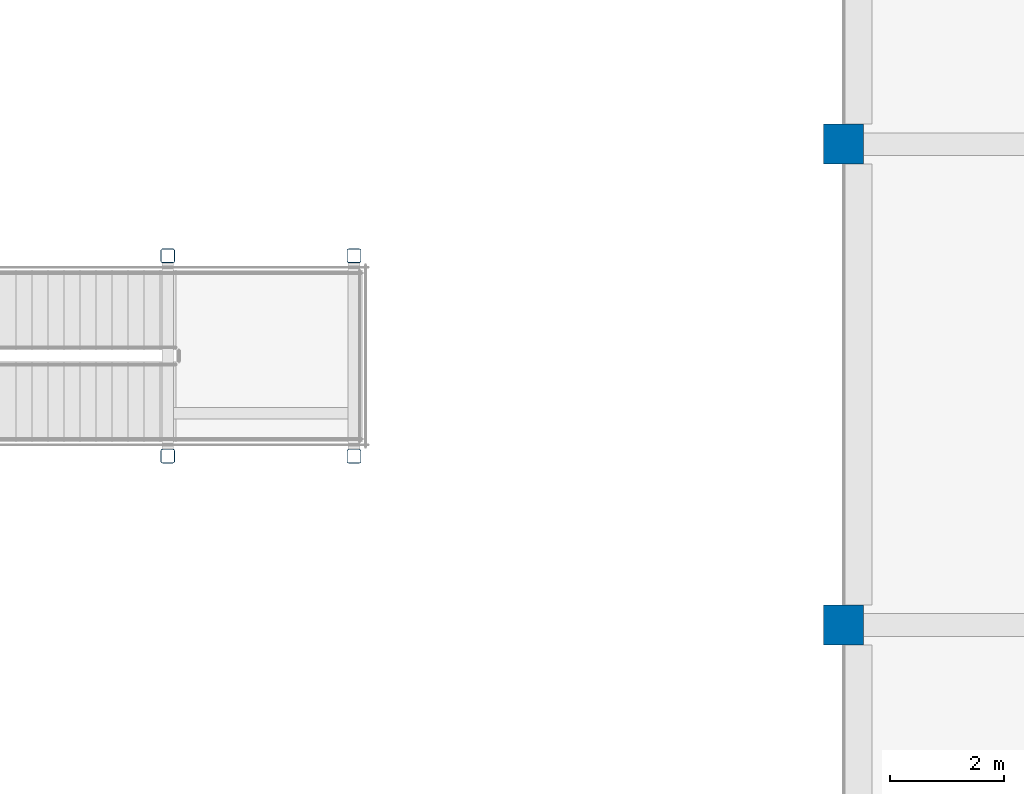
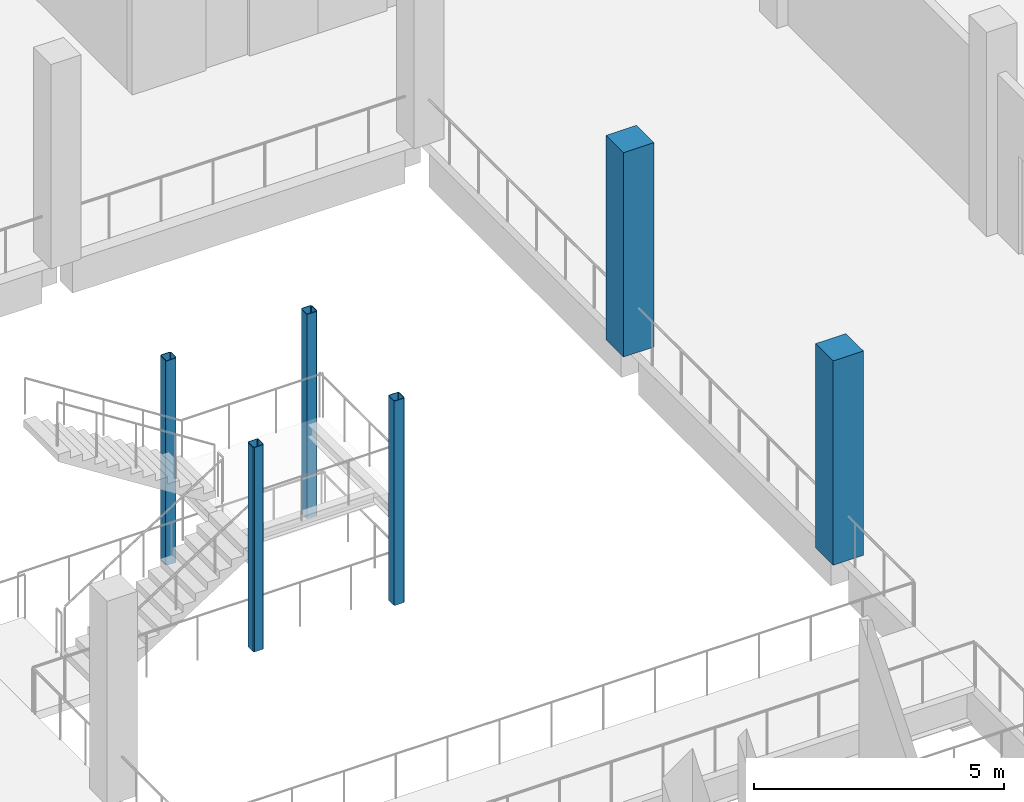
# One storey, part 2 of 82: 6 columns.
"""IFC4 building model written with IfcOpenShell, lengths in metres."""

from ifc_helpers import new_model, si_unit, direction, frame, origin, origin_2d, place, context, subcontext, project, spatial, rectangle, hollow_rectangle, extrude, material, material_profile, profile_set, type_object, element, save


model = new_model("IFC4")

# Units and contexts
model_context = context("Model", 3, precision=1e-05, world=origin(), true_north=direction((0.0, 1.0)))
body_context = subcontext(model_context, "Body", "Model", "MODEL_VIEW")
ifc_project = project(units=[si_unit("LENGTHUNIT", "METRE"), si_unit("AREAUNIT", "SQUARE_METRE"), si_unit("VOLUMEUNIT", "CUBIC_METRE"), si_unit("PLANEANGLEUNIT", "RADIAN"), si_unit("MASSUNIT", "GRAM", prefix="KILO")], contexts=[model_context])

# Site, building, storey
site_placement = place(None, origin())
site = spatial("IfcSite", under=ifc_project, at=site_placement, CompositionType="ELEMENT")
building_placement = place(site_placement, origin())
building = spatial("IfcBuilding", under=site, at=building_placement, Name="Almond Square Museum", CompositionType="ELEMENT")
storey_placement = place(building_placement, frame((0.0, 0.0, 20.0)))
storey = spatial("IfcBuildingStorey", under=building, at=storey_placement, Name="L03", CompositionType="ELEMENT", Elevation=20.0)

# Columns
ifc_material_1 = material(Name="Structural steel S355", Category="steel")
ifc_material_profile_1 = material_profile(ifc_material_1, hollow_rectangle(XDim=0.25, YDim=0.25, WallThickness=0.012451171875, InnerFilletRadius=0.02490234375, OuterFilletRadius=0.03759765625, at=origin_2d()))
ifc_profile_set_1 = profile_set([ifc_material_profile_1], Name="Structural steel S355")
column_type_1 = type_object("IfcColumnType", Name="Feature stair column SHS 250x250x12.5", PredefinedType="COLUMN", material=ifc_profile_set_1)
for number, where, z_axis, x_axis, name in (
    (1, (86.594970703125, 86.949951171875, 0.0), (0.0, 0.0, 1.0), (1.0, 0.0, 0.0), "L03 atrium feature stair support column"),
    (2, (86.594970703125, 90.449951171875, 0.0), (0.0, 0.0, 1.0), (1.0, 0.0, 0.0), "L03 atrium feature stair support column"),
    (3, (89.85009765625, 86.949951171875, 0.0), (0.0, 0.0, 1.0), (1.0, 0.0, 0.0), "L03 atrium feature stair support column"),
    (4, (89.85009765625, 90.449951171875, 0.0), (0.0, 0.0, 1.0), (1.0, 0.0, 0.0), "L03 atrium feature stair support column"),
):
    element("IfcColumn", number, at=place(storey_placement, frame(where, z_axis=z_axis, x_axis=x_axis)), inside=storey, type_object=column_type_1, Name=name, PredefinedType="COLUMN", context=body_context, shape_type="SweptSolid", body=[
        extrude(hollow_rectangle(XDim=0.25, YDim=0.25, WallThickness=0.012451171875, InnerFilletRadius=0.02490234375, OuterFilletRadius=0.03759765625, at=origin_2d()), origin(), (0.0, 0.0, 1.0), 5.0),
    ])
ifc_material_2 = material(Name="Concrete C40/50", Category="concrete")
ifc_material_profile_2 = material_profile(ifc_material_2, rectangle(XDim=0.699951171875, YDim=0.699951171875, at=origin_2d()))
ifc_profile_set_2 = profile_set([ifc_material_profile_2], Name="Concrete C40/50")
column_type_2 = type_object("IfcColumnType", Name="RC column 700 x 700 C40/50", PredefinedType="COLUMN", material=ifc_profile_set_2)
for number, where, z_axis, x_axis, name in (
    (5, (98.39990234375, 84.0, 0.0), (0.0, 0.0, 1.0), (1.0, 0.0, 0.0), "Column 13-K L03"),
    (6, (98.39990234375, 92.39990234375, 0.0), (0.0, 0.0, 1.0), (1.0, 0.0, 0.0), "Column 13-L L03"),
):
    element("IfcColumn", number, at=place(storey_placement, frame(where, z_axis=z_axis, x_axis=x_axis)), inside=storey, type_object=column_type_2, Name=name, PredefinedType="COLUMN", context=body_context, shape_type="SweptSolid", body=[
        extrude(rectangle(XDim=0.699951171875, YDim=0.699951171875, at=origin_2d()), origin(), (0.0, 0.0, 1.0), 5.0),
    ])

save(model, "model.ifc")
